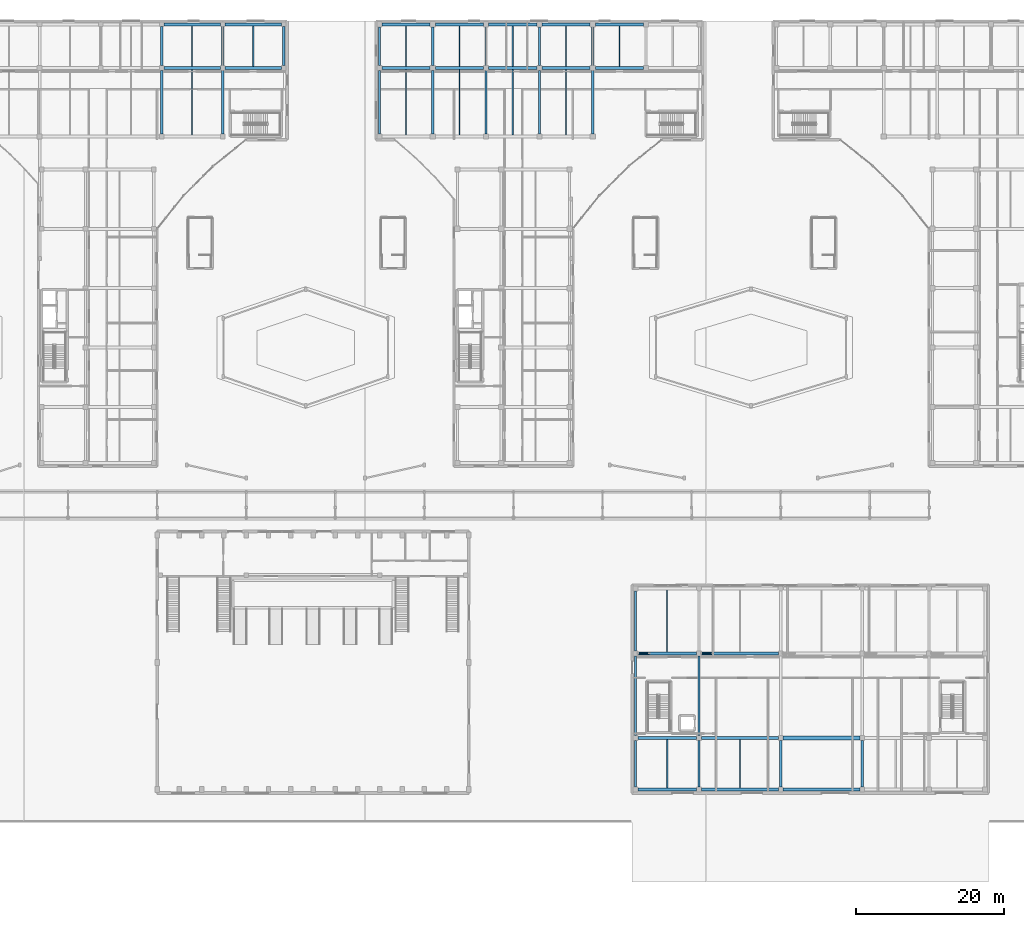
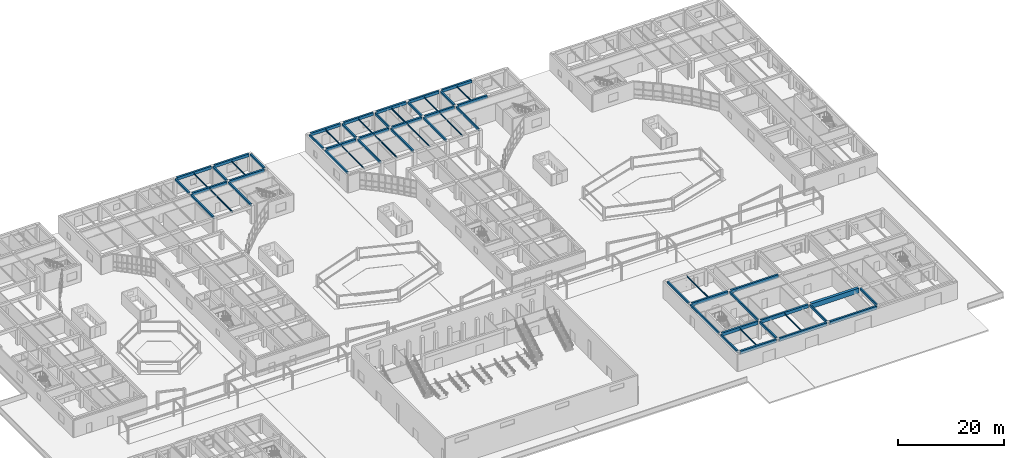
# One storey, part 42 of 114: 59 beams, 2 members.
"""IFC4 building model written with IfcOpenShell, lengths in metres."""

from ifc_helpers import new_model, si_unit, direction, frame, origin, origin_2d, place, context, subcontext, project, spatial, rectangle, hollow_circle, i_section, extrude, material, material_profile, profile_set, type_object, element, save


model = new_model("IFC4")

# Units and contexts
model_context = context("Model", 3, precision=1e-05, world=origin(), true_north=direction((0.0, 1.0)))
body_context = subcontext(model_context, "Body", "Model", "MODEL_VIEW")
ifc_project = project(units=[si_unit("LENGTHUNIT", "METRE"), si_unit("AREAUNIT", "SQUARE_METRE"), si_unit("VOLUMEUNIT", "CUBIC_METRE"), si_unit("PLANEANGLEUNIT", "RADIAN"), si_unit("MASSUNIT", "GRAM", prefix="KILO")], contexts=[model_context])

# Site, building, storey
site_placement = place(None, origin())
site = spatial("IfcSite", under=ifc_project, at=site_placement, CompositionType="ELEMENT")
building_placement = place(site_placement, origin())
building = spatial("IfcBuilding", under=site, at=building_placement, Name="Keldmere Railside Commons", CompositionType="ELEMENT")
storey_placement = place(building_placement, origin())
storey = spatial("IfcBuildingStorey", under=building, at=storey_placement, Name="L00", CompositionType="ELEMENT", Elevation=0.0)

# Members
ifc_material_1 = material(Name="Steel F-36 (S355)", Category="steel")
ifc_material_profile_1 = material_profile(ifc_material_1, hollow_circle(Radius=0.083984375, WallThickness=0.008056640625, at=origin_2d()), Name="CHS-168x8")
ifc_profile_set_1 = profile_set([ifc_material_profile_1], Name="Steel F-36 (S355)")
member_type = type_object("IfcMemberType", Name="Arcade Portal Knee Brace CHS168", PredefinedType="BRACE", material=ifc_profile_set_1)
for number, where, z_axis, x_axis, name in (
    (1, (128.77001953125, 30.800048828125, 2.949951171875), (0.878976059139, 0.0, 0.476865900921), (0.0, 1.0, 0.0), "BR-2 MEM-ABR-052"),
    (2, (137.320068359375, 30.800048828125, 2.949951171875), (0.878976059139, 0.0, 0.476865900921), (0.0, 1.0, 0.0), "BR-2 MEM-ABR-053"),
):
    element("IfcMember", number, at=place(storey_placement, frame(where, z_axis=z_axis, x_axis=x_axis)), inside=storey, type_object=member_type, Name=name, PredefinedType="BRACE", context=body_context, shape_type="SweptSolid", body=[
        extrude(hollow_circle(Radius=0.083984375, WallThickness=0.008056640625, at=origin_2d()), origin(), (0.0, 0.0, 1.0), 1.74072265625),
    ])

# Beams
ifc_material_2 = material(Name="Concrete H-35 (C35/45)", Category="concrete")
ifc_material_profile_2 = material_profile(ifc_material_2, rectangle(XDim=0.39990234375, YDim=0.75, at=origin_2d()), Name="RC-400x750")
ifc_profile_set_2 = profile_set([ifc_material_profile_2], Name="Concrete H-35 (C35/45)")
beam_type_1 = type_object("IfcBeamType", Name="Civic Frame RC Girder 400x750", PredefinedType="BEAM", material=ifc_profile_set_2)
beam_1_placement = place(storey_placement, frame((128.77490234375, 12.449951171875, 3.784912109375), z_axis=(1.0, 0.0, 0.0), x_axis=(0.0, 1.0, 0.0)))
element("IfcBeam", 3, at=beam_1_placement, inside=storey, type_object=beam_type_1, Name="BG-2 BM-L00-0423", PredefinedType="BEAM", context=body_context, shape_type="SweptSolid", body=[
    extrude(rectangle(XDim=0.39990234375, YDim=0.75, at=origin_2d()), origin(), (0.0, 0.0, 1.0), 7.900146484375),
])
for number, where, z_axis, x_axis, name in (
    (4, (137.324951171875, 12.449951171875, 3.784912109375), (1.0, 0.0, 0.0), (0.0, 1.0, 0.0), "BG-2 BM-L00-0424"),
    (5, (148.324951171875, 12.449951171875, 3.784912109375), (1.0, 0.0, 0.0), (0.0, 1.0, 0.0), "BG-2 BM-L00-0425"),
):
    element("IfcBeam", number, at=place(storey_placement, frame(where, z_axis=z_axis, x_axis=x_axis)), inside=storey, type_object=beam_type_1, Name=name, PredefinedType="BEAM", context=body_context, shape_type="SweptSolid", body=[
        extrude(rectangle(XDim=0.39990234375, YDim=0.75, at=origin_2d()), origin(), (0.0, 0.0, 1.0), 10.35009765625),
    ])
beam_2_placement = place(storey_placement, frame((128.77490234375, 19.39990234375, 3.784912109375), z_axis=(1.0, 0.0, 0.0), x_axis=(0.0, 1.0, 0.0)))
element("IfcBeam", 6, at=beam_2_placement, inside=storey, type_object=beam_type_1, Name="BG-2 BM-L00-0432", PredefinedType="BEAM", context=body_context, shape_type="SweptSolid", body=[
    extrude(rectangle(XDim=0.39990234375, YDim=0.75, at=origin_2d()), origin(), (0.0, 0.0, 1.0), 7.900146484375),
])
beam_3_placement = place(storey_placement, frame((137.324951171875, 19.39990234375, 3.784912109375), z_axis=(1.0, 0.0, 0.0), x_axis=(0.0, 1.0, 0.0)))
element("IfcBeam", 7, at=beam_3_placement, inside=storey, type_object=beam_type_1, Name="BG-2 BM-L00-0433", PredefinedType="BEAM", context=body_context, shape_type="SweptSolid", body=[
    extrude(rectangle(XDim=0.39990234375, YDim=0.75, at=origin_2d()), origin(), (0.0, 0.0, 1.0), 10.35009765625),
])
beam_4_placement = place(storey_placement, frame((128.77490234375, 30.800048828125, 3.784912109375), z_axis=(1.0, 0.0, 0.0), x_axis=(0.0, 1.0, 0.0)))
element("IfcBeam", 8, at=beam_4_placement, inside=storey, type_object=beam_type_1, Name="BG-2 BM-L00-0440", PredefinedType="BEAM", context=body_context, shape_type="SweptSolid", body=[
    extrude(rectangle(XDim=0.39990234375, YDim=0.75, at=origin_2d()), origin(), (0.0, 0.0, 1.0), 7.900146484375),
])
beam_5_placement = place(storey_placement, frame((137.324951171875, 30.800048828125, 3.784912109375), z_axis=(1.0, 0.0, 0.0), x_axis=(0.0, 1.0, 0.0)))
element("IfcBeam", 9, at=beam_5_placement, inside=storey, type_object=beam_type_1, Name="BG-2 BM-L00-0441", PredefinedType="BEAM", context=body_context, shape_type="SweptSolid", body=[
    extrude(rectangle(XDim=0.39990234375, YDim=0.75, at=origin_2d()), origin(), (0.0, 0.0, 1.0), 10.35009765625),
])
ifc_material_profile_3 = material_profile(ifc_material_1, i_section(OverallWidth=0.14990234375, OverallDepth=0.300048828125, WebThickness=0.007080078125, FlangeThickness=0.0107421875, at=origin_2d()), Name="IPE-300")
ifc_profile_set_3 = profile_set([ifc_material_profile_3], Name="Steel F-36 (S355)")
beam_type_2 = type_object("IfcBeamType", Name="Podium & Arcade Steel Joist IPE300", PredefinedType="JOIST", material=ifc_profile_set_3)
for number, where, z_axis, x_axis, name in (
    (10, (132.72509765625, 12.64990234375, 3.739990234375), (0.0, 1.0, 0.0), (-1.0, 0.0, 0.0), "JST-1 BM-L00-0677"),
    (11, (142.5, 12.64990234375, 3.739990234375), (0.0, 1.0, 0.0), (-1.0, 0.0, 0.0), "JST-1 BM-L00-0678"),
):
    element("IfcBeam", number, at=place(storey_placement, frame(where, z_axis=z_axis, x_axis=x_axis)), inside=storey, type_object=beam_type_2, Name=name, PredefinedType="JOIST", context=body_context, shape_type="SweptSolid", body=[
        extrude(i_section(OverallWidth=0.14990234375, OverallDepth=0.300048828125, WebThickness=0.007080078125, FlangeThickness=0.0107421875, at=origin_2d()), origin(), (0.0, 0.0, 1.0), 6.550048828125),
    ])
beam_6_placement = place(storey_placement, frame((132.7119140625, 31.0, 3.739990234375), z_axis=(0.0, 1.0, 0.0), x_axis=(-1.0, 0.0, 0.0)))
element("IfcBeam", 12, at=beam_6_placement, inside=storey, type_object=beam_type_2, Name="JST-1 BM-L00-0686", PredefinedType="JOIST", context=body_context, shape_type="SweptSolid", body=[
    extrude(i_section(OverallWidth=0.14990234375, OverallDepth=0.300048828125, WebThickness=0.007080078125, FlangeThickness=0.0107421875, at=origin_2d()), origin(), (0.0, 0.0, 1.0), 8.35009765625),
])
for number, where, z_axis, x_axis, name in (
    (13, (68.719970703125, 100.64990234375, 3.739990234375), (0.0, 1.0, 0.0), (-1.0, 0.0, 0.0), "JST-1 BM-L00-0717"),
    (14, (97.541015625, 100.64990234375, 3.739990234375), (0.0, 1.0, 0.0), (-1.0, 0.0, 0.0), "JST-1 BM-L00-0718"),
    (15, (104.72509765625, 100.64990234375, 3.739990234375), (0.0, 1.0, 0.0), (-1.0, 0.0, 0.0), "JST-1 BM-L00-0719"),
    (16, (111.908935546875, 100.64990234375, 3.739990234375), (0.0, 1.0, 0.0), (-1.0, 0.0, 0.0), "JST-1 BM-L00-0720"),
    (17, (119.091064453125, 100.64990234375, 3.739990234375), (0.0, 1.0, 0.0), (-1.0, 0.0, 0.0), "JST-1 BM-L00-0721"),
):
    element("IfcBeam", number, at=place(storey_placement, frame(where, z_axis=z_axis, x_axis=x_axis)), inside=storey, type_object=beam_type_2, Name=name, PredefinedType="JOIST", context=body_context, shape_type="SweptSolid", body=[
        extrude(i_section(OverallWidth=0.14990234375, OverallDepth=0.300048828125, WebThickness=0.007080078125, FlangeThickness=0.0107421875, at=origin_2d()), origin(), (0.0, 0.0, 1.0), 8.800048828125),
    ])
for number, where, z_axis, x_axis, name in (
    (18, (68.719970703125, 109.85009765625, 3.739990234375), (0.0, 1.0, 0.0), (-1.0, 0.0, 0.0), "JST-1 BM-L00-0731"),
    (19, (76.93994140625, 109.85009765625, 3.739990234375), (0.0, 1.0, 0.0), (-1.0, 0.0, 0.0), "JST-1 BM-L00-0732"),
    (20, (97.541015625, 109.85009765625, 3.739990234375), (0.0, 1.0, 0.0), (-1.0, 0.0, 0.0), "JST-1 BM-L00-0733"),
    (21, (104.72509765625, 109.85009765625, 3.739990234375), (0.0, 1.0, 0.0), (-1.0, 0.0, 0.0), "JST-1 BM-L00-0734"),
    (22, (111.908935546875, 109.85009765625, 3.739990234375), (0.0, 1.0, 0.0), (-1.0, 0.0, 0.0), "JST-1 BM-L00-0735"),
    (23, (119.091064453125, 109.85009765625, 3.739990234375), (0.0, 1.0, 0.0), (-1.0, 0.0, 0.0), "JST-1 BM-L00-0736"),
    (24, (126.27490234375, 109.85009765625, 3.739990234375), (0.0, 1.0, 0.0), (-1.0, 0.0, 0.0), "JST-1 BM-L00-0737"),
):
    element("IfcBeam", number, at=place(storey_placement, frame(where, z_axis=z_axis, x_axis=x_axis)), inside=storey, type_object=beam_type_2, Name=name, PredefinedType="JOIST", context=body_context, shape_type="SweptSolid", body=[
        extrude(i_section(OverallWidth=0.14990234375, OverallDepth=0.300048828125, WebThickness=0.007080078125, FlangeThickness=0.0107421875, at=origin_2d()), origin(), (0.0, 0.0, 1.0), 5.5),
    ])
ifc_material_3 = material(Name="Concrete H-40 (C40/50)", Category="concrete")
ifc_material_profile_4 = material_profile(ifc_material_3, rectangle(XDim=0.60009765625, YDim=1.10009765625, at=origin_2d()), Name="RC-600x1100")
ifc_profile_set_4 = profile_set([ifc_material_profile_4], Name="Concrete H-40 (C40/50)")
beam_type_3 = type_object("IfcBeamType", Name="Primary Transfer Girder 600x1100", PredefinedType="BEAM", material=ifc_profile_set_4)
beam_7_placement = place(storey_placement, frame((148.324951171875, 19.39990234375, 3.610107421875), z_axis=(1.0, 0.0, 0.0), x_axis=(0.0, 1.0, 0.0)))
element("IfcBeam", 25, at=beam_7_placement, inside=storey, type_object=beam_type_3, Name="TG-1 BM-L00-0005", PredefinedType="BEAM", context=body_context, shape_type="SweptSolid", body=[
    extrude(rectangle(XDim=0.60009765625, YDim=1.10009765625, at=origin_2d()), origin(), (0.0, 0.0, 1.0), 10.35009765625),
])
ifc_material_4 = material(Name="Concrete H-30 (C30/37)", Category="concrete")
ifc_material_profile_5 = material_profile(ifc_material_4, rectangle(XDim=0.39990234375, YDim=0.64990234375, at=origin_2d()), Name="RC-400x650")
ifc_profile_set_5 = profile_set([ifc_material_profile_5], Name="Concrete H-30 (C30/37)")
beam_type_4 = type_object("IfcBeamType", Name="Residential Spine RC Girder 400x650", PredefinedType="BEAM", material=ifc_profile_set_5)
beam_8_placement = place(storey_placement, frame((64.93505859375, 109.64990234375, 3.8349609375), z_axis=(1.0, 0.0, 0.0), x_axis=(0.0, 1.0, 0.0)))
element("IfcBeam", 26, at=beam_8_placement, inside=storey, type_object=beam_type_4, Name="BG-3 BM-L00-0515", PredefinedType="BEAM", context=body_context, shape_type="SweptSolid", body=[
    extrude(rectangle(XDim=0.39990234375, YDim=0.64990234375, at=origin_2d()), origin(), (0.0, 0.0, 1.0), 7.56982421875),
])
beam_9_placement = place(storey_placement, frame((73.155029296875, 109.64990234375, 3.8349609375), z_axis=(1.0, 0.0, 0.0), x_axis=(0.0, 1.0, 0.0)))
element("IfcBeam", 27, at=beam_9_placement, inside=storey, type_object=beam_type_4, Name="BG-3 BM-L00-0516", PredefinedType="BEAM", context=body_context, shape_type="SweptSolid", body=[
    extrude(rectangle(XDim=0.39990234375, YDim=0.64990234375, at=origin_2d()), origin(), (0.0, 0.0, 1.0), 7.570068359375),
])
beam_10_placement = place(storey_placement, frame((94.300048828125, 109.64990234375, 3.8349609375), z_axis=(1.0, 0.0, 0.0), x_axis=(0.0, 1.0, 0.0)))
element("IfcBeam", 28, at=beam_10_placement, inside=storey, type_object=beam_type_4, Name="BG-3 BM-L00-0517", PredefinedType="BEAM", context=body_context, shape_type="SweptSolid", body=[
    extrude(rectangle(XDim=0.39990234375, YDim=0.64990234375, at=origin_2d()), origin(), (0.0, 0.0, 1.0), 6.48291015625),
])
beam_11_placement = place(storey_placement, frame((101.48291015625, 109.64990234375, 3.8349609375), z_axis=(1.0, 0.0, 0.0), x_axis=(0.0, 1.0, 0.0)))
element("IfcBeam", 29, at=beam_11_placement, inside=storey, type_object=beam_type_4, Name="BG-3 BM-L00-0518", PredefinedType="BEAM", context=body_context, shape_type="SweptSolid", body=[
    extrude(rectangle(XDim=0.39990234375, YDim=0.64990234375, at=origin_2d()), origin(), (0.0, 0.0, 1.0), 6.484130859375),
])
for number, where, z_axis, x_axis, name in (
    (30, (108.6669921875, 109.64990234375, 3.8349609375), (1.0, 0.0, 0.0), (0.0, 1.0, 0.0), "BG-3 BM-L00-0519"),
    (31, (115.85009765625, 109.64990234375, 3.8349609375), (1.0, 0.0, 0.0), (0.0, 1.0, 0.0), "BG-3 BM-L00-0520"),
):
    element("IfcBeam", number, at=place(storey_placement, frame(where, z_axis=z_axis, x_axis=x_axis)), inside=storey, type_object=beam_type_4, Name=name, PredefinedType="BEAM", context=body_context, shape_type="SweptSolid", body=[
        extrude(rectangle(XDim=0.39990234375, YDim=0.64990234375, at=origin_2d()), origin(), (0.0, 0.0, 1.0), 6.48291015625),
    ])
beam_12_placement = place(storey_placement, frame((123.032958984375, 109.64990234375, 3.8349609375), z_axis=(1.0, 0.0, 0.0), x_axis=(0.0, 1.0, 0.0)))
element("IfcBeam", 32, at=beam_12_placement, inside=storey, type_object=beam_type_4, Name="BG-3 BM-L00-0521", PredefinedType="BEAM", context=body_context, shape_type="SweptSolid", body=[
    extrude(rectangle(XDim=0.39990234375, YDim=0.64990234375, at=origin_2d()), origin(), (0.0, 0.0, 1.0), 6.484130859375),
])
beam_13_placement = place(storey_placement, frame((64.93505859375, 115.550048828125, 3.8349609375), z_axis=(1.0, 0.0, 0.0), x_axis=(0.0, 1.0, 0.0)))
element("IfcBeam", 33, at=beam_13_placement, inside=storey, type_object=beam_type_4, Name="BG-3 BM-L00-0534", PredefinedType="BEAM", context=body_context, shape_type="SweptSolid", body=[
    extrude(rectangle(XDim=0.39990234375, YDim=0.64990234375, at=origin_2d()), origin(), (0.0, 0.0, 1.0), 7.56982421875),
])
beam_14_placement = place(storey_placement, frame((73.155029296875, 115.550048828125, 3.8349609375), z_axis=(1.0, 0.0, 0.0), x_axis=(0.0, 1.0, 0.0)))
element("IfcBeam", 34, at=beam_14_placement, inside=storey, type_object=beam_type_4, Name="BG-3 BM-L00-0535", PredefinedType="BEAM", context=body_context, shape_type="SweptSolid", body=[
    extrude(rectangle(XDim=0.39990234375, YDim=0.64990234375, at=origin_2d()), origin(), (0.0, 0.0, 1.0), 7.570068359375),
])
beam_15_placement = place(storey_placement, frame((94.300048828125, 115.550048828125, 3.8349609375), z_axis=(1.0, 0.0, 0.0), x_axis=(0.0, 1.0, 0.0)))
element("IfcBeam", 35, at=beam_15_placement, inside=storey, type_object=beam_type_4, Name="BG-3 BM-L00-0536", PredefinedType="BEAM", context=body_context, shape_type="SweptSolid", body=[
    extrude(rectangle(XDim=0.39990234375, YDim=0.64990234375, at=origin_2d()), origin(), (0.0, 0.0, 1.0), 6.48291015625),
])
beam_16_placement = place(storey_placement, frame((101.48291015625, 115.550048828125, 3.8349609375), z_axis=(1.0, 0.0, 0.0), x_axis=(0.0, 1.0, 0.0)))
element("IfcBeam", 36, at=beam_16_placement, inside=storey, type_object=beam_type_4, Name="BG-3 BM-L00-0537", PredefinedType="BEAM", context=body_context, shape_type="SweptSolid", body=[
    extrude(rectangle(XDim=0.39990234375, YDim=0.64990234375, at=origin_2d()), origin(), (0.0, 0.0, 1.0), 6.484130859375),
])
for number, where, z_axis, x_axis, name in (
    (37, (108.6669921875, 115.550048828125, 3.8349609375), (1.0, 0.0, 0.0), (0.0, 1.0, 0.0), "BG-3 BM-L00-0538"),
    (38, (115.85009765625, 115.550048828125, 3.8349609375), (1.0, 0.0, 0.0), (0.0, 1.0, 0.0), "BG-3 BM-L00-0539"),
):
    element("IfcBeam", number, at=place(storey_placement, frame(where, z_axis=z_axis, x_axis=x_axis)), inside=storey, type_object=beam_type_4, Name=name, PredefinedType="BEAM", context=body_context, shape_type="SweptSolid", body=[
        extrude(rectangle(XDim=0.39990234375, YDim=0.64990234375, at=origin_2d()), origin(), (0.0, 0.0, 1.0), 6.48291015625),
    ])
beam_17_placement = place(storey_placement, frame((123.032958984375, 115.550048828125, 3.8349609375), z_axis=(1.0, 0.0, 0.0), x_axis=(0.0, 1.0, 0.0)))
element("IfcBeam", 39, at=beam_17_placement, inside=storey, type_object=beam_type_4, Name="BG-3 BM-L00-0540", PredefinedType="BEAM", context=body_context, shape_type="SweptSolid", body=[
    extrude(rectangle(XDim=0.39990234375, YDim=0.64990234375, at=origin_2d()), origin(), (0.0, 0.0, 1.0), 6.484130859375),
])
ifc_material_profile_6 = material_profile(ifc_material_4, rectangle(XDim=0.300048828125, YDim=0.5, at=origin_2d()), Name="RC-300x500")
ifc_profile_set_6 = profile_set([ifc_material_profile_6], Name="Concrete H-30 (C30/37)")
beam_type_5 = type_object("IfcBeamType", Name="Secondary Frame RC Beam 300x500", PredefinedType="BEAM", material=ifc_profile_set_6)
beam_18_placement = place(storey_placement, frame((64.610107421875, 100.77490234375, 3.909912109375), z_axis=(0.0, 1.0, 0.0), x_axis=(-1.0, 0.0, 0.0)))
element("IfcBeam", 40, at=beam_18_placement, inside=storey, type_object=beam_type_5, Name="BG-5 BM-L00-0601", PredefinedType="BEAM", context=body_context, shape_type="SweptSolid", body=[
    extrude(rectangle(XDim=0.300048828125, YDim=0.5, at=origin_2d()), origin(), (0.0, 0.0, 1.0), 8.550048828125),
])
beam_19_placement = place(storey_placement, frame((64.610107421875, 109.97509765625, 3.909912109375), z_axis=(0.0, 1.0, 0.0), x_axis=(-1.0, 0.0, 0.0)))
element("IfcBeam", 41, at=beam_19_placement, inside=storey, type_object=beam_type_5, Name="BG-5 BM-L00-0602", PredefinedType="BEAM", context=body_context, shape_type="SweptSolid", body=[
    extrude(rectangle(XDim=0.300048828125, YDim=0.5, at=origin_2d()), origin(), (0.0, 0.0, 1.0), 5.25),
])
beam_20_placement = place(storey_placement, frame((72.830078125, 100.77490234375, 3.909912109375), z_axis=(0.0, 1.0, 0.0), x_axis=(-1.0, 0.0, 0.0)))
element("IfcBeam", 42, at=beam_20_placement, inside=storey, type_object=beam_type_5, Name="BG-5 BM-L00-0603", PredefinedType="BEAM", context=body_context, shape_type="SweptSolid", body=[
    extrude(rectangle(XDim=0.300048828125, YDim=0.5, at=origin_2d()), origin(), (0.0, 0.0, 1.0), 8.550048828125),
])
for number, where, z_axis, x_axis, name in (
    (43, (72.830078125, 109.97509765625, 3.909912109375), (0.0, 1.0, 0.0), (-1.0, 0.0, 0.0), "BG-5 BM-L00-0604"),
    (44, (81.050048828125, 109.97509765625, 3.909912109375), (0.0, 1.0, 0.0), (-1.0, 0.0, 0.0), "BG-5 BM-L00-0605"),
):
    element("IfcBeam", number, at=place(storey_placement, frame(where, z_axis=z_axis, x_axis=x_axis)), inside=storey, type_object=beam_type_5, Name=name, PredefinedType="BEAM", context=body_context, shape_type="SweptSolid", body=[
        extrude(rectangle(XDim=0.300048828125, YDim=0.5, at=origin_2d()), origin(), (0.0, 0.0, 1.0), 5.25),
    ])
beam_21_placement = place(storey_placement, frame((93.949951171875, 100.800048828125, 3.909912109375), z_axis=(0.0, 1.0, 0.0), x_axis=(-1.0, 0.0, 0.0)))
element("IfcBeam", 45, at=beam_21_placement, inside=storey, type_object=beam_type_5, Name="BG-5 BM-L00-0606", PredefinedType="BEAM", context=body_context, shape_type="SweptSolid", body=[
    extrude(rectangle(XDim=0.300048828125, YDim=0.5, at=origin_2d()), origin(), (0.0, 0.0, 1.0), 8.5),
])
beam_22_placement = place(storey_placement, frame((93.949951171875, 110.0, 3.909912109375), z_axis=(0.0, 1.0, 0.0), x_axis=(-1.0, 0.0, 0.0)))
element("IfcBeam", 46, at=beam_22_placement, inside=storey, type_object=beam_type_5, Name="BG-5 BM-L00-0607", PredefinedType="BEAM", context=body_context, shape_type="SweptSolid", body=[
    extrude(rectangle(XDim=0.300048828125, YDim=0.5, at=origin_2d()), origin(), (0.0, 0.0, 1.0), 5.199951171875),
])
beam_23_placement = place(storey_placement, frame((101.133056640625, 100.800048828125, 3.909912109375), z_axis=(0.0, 1.0, 0.0), x_axis=(-1.0, 0.0, 0.0)))
element("IfcBeam", 47, at=beam_23_placement, inside=storey, type_object=beam_type_5, Name="BG-5 BM-L00-0608", PredefinedType="BEAM", context=body_context, shape_type="SweptSolid", body=[
    extrude(rectangle(XDim=0.300048828125, YDim=0.5, at=origin_2d()), origin(), (0.0, 0.0, 1.0), 8.5),
])
beam_24_placement = place(storey_placement, frame((101.133056640625, 110.0, 3.909912109375), z_axis=(0.0, 1.0, 0.0), x_axis=(-1.0, 0.0, 0.0)))
element("IfcBeam", 48, at=beam_24_placement, inside=storey, type_object=beam_type_5, Name="BG-5 BM-L00-0609", PredefinedType="BEAM", context=body_context, shape_type="SweptSolid", body=[
    extrude(rectangle(XDim=0.300048828125, YDim=0.5, at=origin_2d()), origin(), (0.0, 0.0, 1.0), 5.199951171875),
])
beam_25_placement = place(storey_placement, frame((108.31689453125, 100.800048828125, 3.909912109375), z_axis=(0.0, 1.0, 0.0), x_axis=(-1.0, 0.0, 0.0)))
element("IfcBeam", 49, at=beam_25_placement, inside=storey, type_object=beam_type_5, Name="BG-5 BM-L00-0612", PredefinedType="BEAM", context=body_context, shape_type="SweptSolid", body=[
    extrude(rectangle(XDim=0.300048828125, YDim=0.5, at=origin_2d()), origin(), (0.0, 0.0, 1.0), 8.5),
])
beam_26_placement = place(storey_placement, frame((108.31689453125, 110.0, 3.909912109375), z_axis=(0.0, 1.0, 0.0), x_axis=(-1.0, 0.0, 0.0)))
element("IfcBeam", 50, at=beam_26_placement, inside=storey, type_object=beam_type_5, Name="BG-5 BM-L00-0613", PredefinedType="BEAM", context=body_context, shape_type="SweptSolid", body=[
    extrude(rectangle(XDim=0.300048828125, YDim=0.5, at=origin_2d()), origin(), (0.0, 0.0, 1.0), 5.199951171875),
])
beam_27_placement = place(storey_placement, frame((115.5, 100.800048828125, 3.909912109375), z_axis=(0.0, 1.0, 0.0), x_axis=(-1.0, 0.0, 0.0)))
element("IfcBeam", 51, at=beam_27_placement, inside=storey, type_object=beam_type_5, Name="BG-5 BM-L00-0619", PredefinedType="BEAM", context=body_context, shape_type="SweptSolid", body=[
    extrude(rectangle(XDim=0.300048828125, YDim=0.5, at=origin_2d()), origin(), (0.0, 0.0, 1.0), 8.5),
])
beam_28_placement = place(storey_placement, frame((115.5, 110.0, 3.909912109375), z_axis=(0.0, 1.0, 0.0), x_axis=(-1.0, 0.0, 0.0)))
element("IfcBeam", 52, at=beam_28_placement, inside=storey, type_object=beam_type_5, Name="BG-5 BM-L00-0620", PredefinedType="BEAM", context=body_context, shape_type="SweptSolid", body=[
    extrude(rectangle(XDim=0.300048828125, YDim=0.5, at=origin_2d()), origin(), (0.0, 0.0, 1.0), 5.199951171875),
])
beam_29_placement = place(storey_placement, frame((122.68310546875, 100.800048828125, 3.909912109375), z_axis=(0.0, 1.0, 0.0), x_axis=(-1.0, 0.0, 0.0)))
element("IfcBeam", 53, at=beam_29_placement, inside=storey, type_object=beam_type_5, Name="BG-5 BM-L00-0630", PredefinedType="BEAM", context=body_context, shape_type="SweptSolid", body=[
    extrude(rectangle(XDim=0.300048828125, YDim=0.5, at=origin_2d()), origin(), (0.0, 0.0, 1.0), 8.5),
])
beam_30_placement = place(storey_placement, frame((122.68310546875, 110.0, 3.909912109375), z_axis=(0.0, 1.0, 0.0), x_axis=(-1.0, 0.0, 0.0)))
element("IfcBeam", 54, at=beam_30_placement, inside=storey, type_object=beam_type_5, Name="BG-5 BM-L00-0631", PredefinedType="BEAM", context=body_context, shape_type="SweptSolid", body=[
    extrude(rectangle(XDim=0.300048828125, YDim=0.5, at=origin_2d()), origin(), (0.0, 0.0, 1.0), 5.199951171875),
])
beam_31_placement = place(storey_placement, frame((128.449951171875, 12.77490234375, 3.909912109375), z_axis=(0.0, 1.0, 0.0), x_axis=(-1.0, 0.0, 0.0)))
element("IfcBeam", 55, at=beam_31_placement, inside=storey, type_object=beam_type_5, Name="BG-5 BM-L00-0632", PredefinedType="BEAM", context=body_context, shape_type="SweptSolid", body=[
    extrude(rectangle(XDim=0.300048828125, YDim=0.5, at=origin_2d()), origin(), (0.0, 0.0, 1.0), 6.300048828125),
])
beam_32_placement = place(storey_placement, frame((128.449951171875, 19.72509765625, 3.909912109375), z_axis=(0.0, 1.0, 0.0), x_axis=(-1.0, 0.0, 0.0)))
element("IfcBeam", 56, at=beam_32_placement, inside=storey, type_object=beam_type_5, Name="BG-5 BM-L00-0633", PredefinedType="BEAM", context=body_context, shape_type="SweptSolid", body=[
    extrude(rectangle(XDim=0.300048828125, YDim=0.5, at=origin_2d()), origin(), (0.0, 0.0, 1.0), 10.75),
])
beam_33_placement = place(storey_placement, frame((128.449951171875, 31.125, 3.909912109375), z_axis=(0.0, 1.0, 0.0), x_axis=(-1.0, 0.0, 0.0)))
element("IfcBeam", 57, at=beam_33_placement, inside=storey, type_object=beam_type_5, Name="BG-5 BM-L00-0634", PredefinedType="BEAM", context=body_context, shape_type="SweptSolid", body=[
    extrude(rectangle(XDim=0.300048828125, YDim=0.5, at=origin_2d()), origin(), (0.0, 0.0, 1.0), 8.10009765625),
])
beam_34_placement = place(storey_placement, frame((137.0, 12.77490234375, 3.909912109375), z_axis=(0.0, 1.0, 0.0), x_axis=(-1.0, 0.0, 0.0)))
element("IfcBeam", 58, at=beam_34_placement, inside=storey, type_object=beam_type_5, Name="BG-5 BM-L00-0636", PredefinedType="BEAM", context=body_context, shape_type="SweptSolid", body=[
    extrude(rectangle(XDim=0.300048828125, YDim=0.5, at=origin_2d()), origin(), (0.0, 0.0, 1.0), 6.300048828125),
])
beam_35_placement = place(storey_placement, frame((137.0, 19.72509765625, 3.909912109375), z_axis=(0.0, 1.0, 0.0), x_axis=(-1.0, 0.0, 0.0)))
element("IfcBeam", 59, at=beam_35_placement, inside=storey, type_object=beam_type_5, Name="BG-5 BM-L00-0637", PredefinedType="BEAM", context=body_context, shape_type="SweptSolid", body=[
    extrude(rectangle(XDim=0.300048828125, YDim=0.5, at=origin_2d()), origin(), (0.0, 0.0, 1.0), 10.75),
])
for number, where, z_axis, x_axis, name in (
    (60, (148.0, 12.77490234375, 3.909912109375), (0.0, 1.0, 0.0), (-1.0, 0.0, 0.0), "BG-5 BM-L00-0641"),
    (61, (159.0, 12.77490234375, 3.909912109375), (0.0, 1.0, 0.0), (-1.0, 0.0, 0.0), "BG-5 BM-L00-0645"),
):
    element("IfcBeam", number, at=place(storey_placement, frame(where, z_axis=z_axis, x_axis=x_axis)), inside=storey, type_object=beam_type_5, Name=name, PredefinedType="BEAM", context=body_context, shape_type="SweptSolid", body=[
        extrude(rectangle(XDim=0.300048828125, YDim=0.5, at=origin_2d()), origin(), (0.0, 0.0, 1.0), 6.300048828125),
    ])

save(model, "model.ifc")
